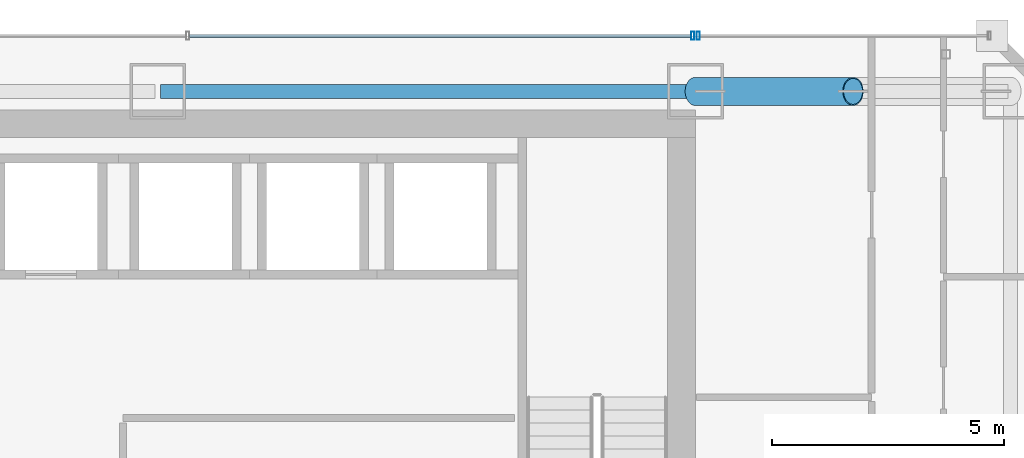
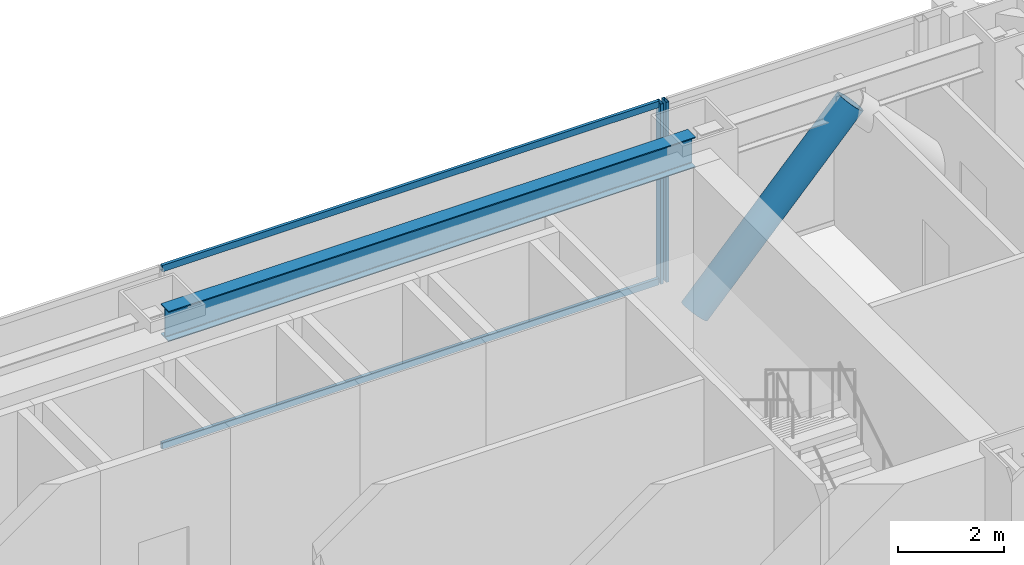
# One storey, part 32 of 47: 5 members, 1 beam, 2 elements without a shape of their own.
"""IFC4 building model written with IfcOpenShell, lengths in metres."""

from ifc_helpers import new_model, si_unit, direction, frame, origin, origin_2d, place, context, subcontext, project, spatial, hollow_rectangle, hollow_circle, i_section, extrude, material, material_profile, profile_set, type_object, element, aggregate, save


model = new_model("IFC4")

# Units and contexts
model_context = context("Model", 3, precision=1e-05, world=origin(), true_north=direction((0.0, 1.0)))
body_context = subcontext(model_context, "Body", "Model", "MODEL_VIEW")
ifc_project = project(units=[si_unit("LENGTHUNIT", "METRE"), si_unit("AREAUNIT", "SQUARE_METRE"), si_unit("VOLUMEUNIT", "CUBIC_METRE"), si_unit("PLANEANGLEUNIT", "RADIAN"), si_unit("MASSUNIT", "GRAM", prefix="KILO")], contexts=[model_context])

# Site, building, storey
site_placement = place(None, origin())
site = spatial("IfcSite", under=ifc_project, at=site_placement, CompositionType="ELEMENT")
building_placement = place(site_placement, origin())
building = spatial("IfcBuilding", under=site, at=building_placement, Name="Saevonmaru Cultural Tower", CompositionType="ELEMENT")
storey_placement = place(building_placement, frame((0.0, 0.0, 78.0)))
storey = spatial("IfcBuildingStorey", under=building, at=storey_placement, Name="L16", CompositionType="ELEMENT", Elevation=78.0)

# Beam
ifc_material_1 = material(Name="Steel SM355", Category="steel")
ifc_material_profile_1 = material_profile(ifc_material_1, i_section(OverallWidth=0.300048828125, OverallDepth=0.699951171875, WebThickness=0.012939453125, FlangeThickness=0.02392578125, FilletRadius=0.02587890625, at=origin_2d()), Name="H-700x300x13x24")
ifc_profile_set_1 = profile_set([ifc_material_profile_1], Name="Steel SM355")
beam_type = type_object("IfcBeamType", Name="BM-SP-H700", PredefinedType="SPANDREL", material=ifc_profile_set_1)
beam_placement = place(storey_placement, frame((34.860107421875, 54.800048828125, 3.800048828125), z_axis=(1.0, 0.0, 0.0), x_axis=(0.0, 1.0, 0.0)))
element("IfcBeam", 1, at=beam_placement, inside=storey, type_object=beam_type, Name="L16 North Spine Girder 4", PredefinedType="SPANDREL", context=body_context, shape_type="SweptSolid", body=[
    extrude(i_section(OverallWidth=0.300048828125, OverallDepth=0.699951171875, WebThickness=0.012939453125, FlangeThickness=0.02392578125, FilletRadius=0.02587890625, at=origin_2d()), origin(), (0.0, 0.0, 1.0), 11.47998046875),
])

# Member
ifc_material_2 = material(Name="Steel HSA600 (600 MPa)", Category="steel")
ifc_material_profile_2 = material_profile(ifc_material_2, hollow_circle(Radius=0.3046875, WallThickness=0.02490234375, at=origin_2d()), Name="CHS-609.6x25")
ifc_profile_set_2 = profile_set([ifc_material_profile_2], Name="Steel HSA600 (600 MPa)")
member_type_1 = type_object("IfcMemberType", Name="MB-PBR-CHS610", PredefinedType="BRACE", material=ifc_profile_set_2)
member_1_placement = place(storey_placement, frame((46.39990234375, 54.800048828125, 0.02001953125), z_axis=(0.681629141635, 0.0, 0.731697829212), x_axis=(0.0, 1.0, 0.0)))
element("IfcMember", 2, at=member_1_placement, inside=storey, type_object=member_type_1, Name="L16 Perimeter Braced-Tube Diagonal EN1", PredefinedType="BRACE", context=body_context, shape_type="SweptSolid", body=[
    extrude(hollow_circle(Radius=0.3046875, WallThickness=0.02490234375, at=origin_2d()), origin(), (0.0, 0.0, 1.0), 4.98828125),
])

# Curtain wall, member
ifc_material_3 = material(Name="Satin Bronze Anodised Aluminium", Category="aluminium")
curtain_wall_type = type_object("IfcCurtainWallType", Name="CW-TYP-A", PredefinedType="NOTDEFINED", material=ifc_material_3)
curtain_wall_1_placement = place(storey_placement, origin())
curtain_wall_1 = element("IfcCurtainWall", 3, at=curtain_wall_1_placement, inside=storey, type_object=curtain_wall_type, Name="L16 East Braced Bay Spandrel Curtain Wall E10A", PredefinedType="NOTDEFINED")
ifc_material_profile_3 = material_profile(ifc_material_3, hollow_rectangle(XDim=0.06494140625, YDim=0.179931640625, WallThickness=0.00390625, at=origin_2d()), Name="ALU-MULL-180x65x4")
ifc_profile_set_3 = profile_set([ifc_material_profile_3], Name="Satin Bronze Anodised Aluminium")
member_type_2 = type_object("IfcMemberType", Name="ML-CW-180x65", PredefinedType="MULLION", material=ifc_profile_set_3)
member_2_placement = place(storey_placement, frame((46.4599609375, 56.0, 0.0), z_axis=(0.0, 0.0, 1.0), x_axis=(-1.0, 0.0, 0.0)))
member_2 = element("IfcMember", 4, at=member_2_placement, type_object=member_type_2, Name="CW-TW-L16-E10A mullion 2", PredefinedType="MULLION", context=body_context, shape_type="SweptSolid", body=[
    extrude(hollow_rectangle(XDim=0.06494140625, YDim=0.179931640625, WallThickness=0.00390625, at=origin_2d()), origin(), (0.0, 0.0, 1.0), 4.14990234375),
])
aggregate(curtain_wall_1, [member_2])

# Curtain wall, members
curtain_wall_2_placement = place(storey_placement, origin())
curtain_wall_2 = element("IfcCurtainWall", 5, at=curtain_wall_2_placement, inside=storey, type_object=curtain_wall_type, Name="L16 North Spine Unitised Curtain Wall E10B", PredefinedType="NOTDEFINED")
member_3_placement = place(storey_placement, frame((46.340087890625, 56.0, 0.0), z_axis=(0.0, 0.0, 1.0), x_axis=(-1.0, 0.0, 0.0)))
member_3 = element("IfcMember", 6, at=member_3_placement, type_object=member_type_2, Name="CW-TW-L16-E10B mullion 1", PredefinedType="MULLION", context=body_context, shape_type="SweptSolid", body=[
    extrude(hollow_rectangle(XDim=0.06494140625, YDim=0.179931640625, WallThickness=0.00390625, at=origin_2d()), origin(), (0.0, 0.0, 1.0), 4.14990234375),
])
ifc_material_profile_4 = material_profile(ifc_material_3, hollow_rectangle(XDim=0.06494140625, YDim=0.14990234375, WallThickness=0.00390625, at=origin_2d()), Name="ALU-TRAN-150x65x4")
ifc_profile_set_4 = profile_set([ifc_material_profile_4], Name="Satin Bronze Anodised Aluminium")
member_type_3 = type_object("IfcMemberType", Name="TR-CW-150x65", PredefinedType="USERDEFINED", material=ifc_profile_set_4)
member_4_placement = place(storey_placement, frame((46.3076171875, 56.0, 0.032470703125), z_axis=(-1.0, 0.0, 0.0), x_axis=(0.0, -1.0, 0.0)))
member_4 = element("IfcMember", 7, at=member_4_placement, type_object=member_type_3, Name="CW-TW-L16-E10B transom 1.1", ObjectType="TRANSOM", PredefinedType="USERDEFINED", context=body_context, shape_type="SweptSolid", body=[
    extrude(hollow_rectangle(XDim=0.06494140625, YDim=0.14990234375, WallThickness=0.00390625, at=origin_2d()), origin(), (0.0, 0.0, 1.0), 10.828369140625),
])
member_5_placement = place(storey_placement, frame((46.3076171875, 56.0, 4.117431640625), z_axis=(-1.0, 0.0, 0.0), x_axis=(0.0, -1.0, 0.0)))
member_5 = element("IfcMember", 8, at=member_5_placement, type_object=member_type_3, Name="CW-TW-L16-E10B transom 1.2", ObjectType="TRANSOM", PredefinedType="USERDEFINED", context=body_context, shape_type="SweptSolid", body=[
    extrude(hollow_rectangle(XDim=0.06494140625, YDim=0.14990234375, WallThickness=0.00390625, at=origin_2d()), origin(), (0.0, 0.0, 1.0), 10.828369140625),
])
aggregate(curtain_wall_2, [member_3, member_4, member_5])

save(model, "model.ifc")
